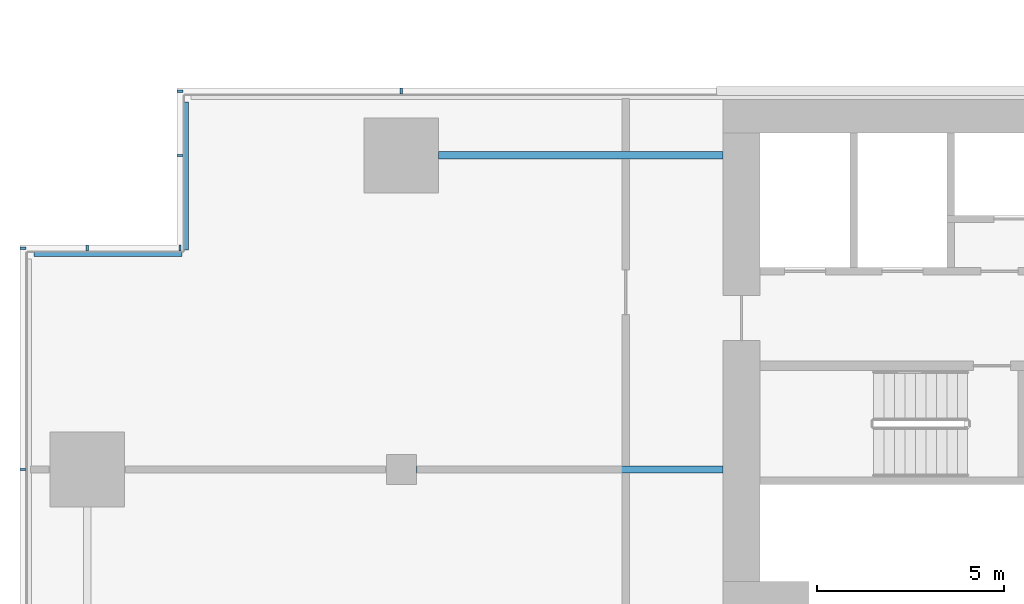
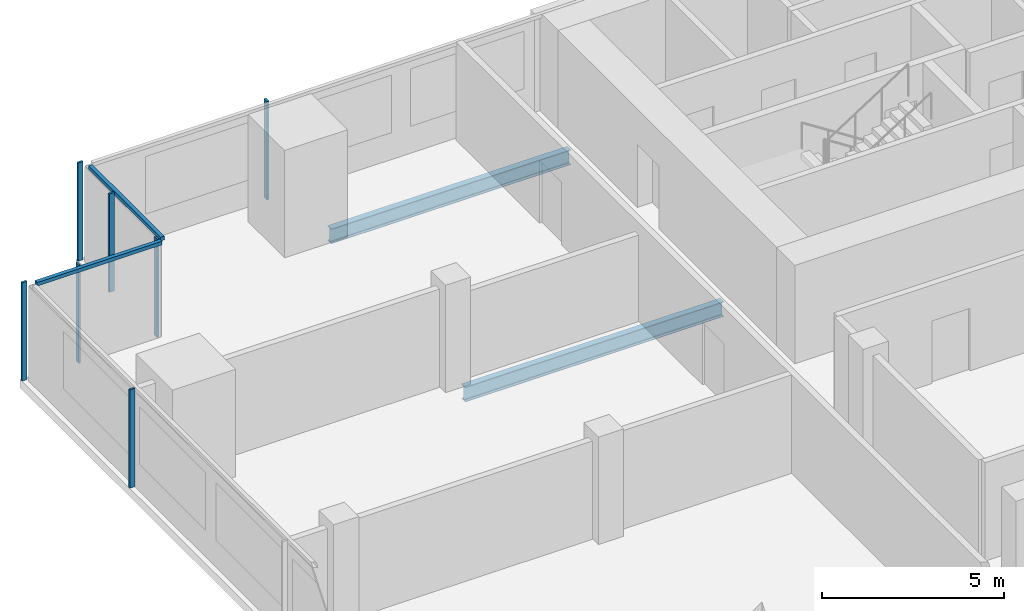
# One storey, part 9 of 26: 9 members, 2 beams, 4 elements without a shape of their own.
"""IFC4 building model written with IfcOpenShell, lengths in metres."""

from ifc_helpers import new_model, si_unit, direction, frame, origin, origin_2d, place, context, subcontext, project, spatial, rectangle, i_section, extrude, material, material_profile, profile_set, type_object, element, aggregate, save


model = new_model("IFC4")

# Units and contexts
model_context = context("Model", 3, precision=1e-05, world=origin(), true_north=direction((0.0, 1.0)))
body_context = subcontext(model_context, "Body", "Model", "MODEL_VIEW")
ifc_project = project(units=[si_unit("LENGTHUNIT", "METRE"), si_unit("AREAUNIT", "SQUARE_METRE"), si_unit("VOLUMEUNIT", "CUBIC_METRE"), si_unit("PLANEANGLEUNIT", "RADIAN"), si_unit("MASSUNIT", "GRAM", prefix="KILO")], contexts=[model_context])

# Site, building, storey
site_placement = place(None, origin())
site = spatial("IfcSite", under=ifc_project, at=site_placement, CompositionType="ELEMENT")
building_placement = place(site_placement, origin())
building = spatial("IfcBuilding", under=site, at=building_placement, Name="Saffron Gate Tower", CompositionType="ELEMENT")
storey_placement = place(building_placement, frame((0.0, 0.0, 138.449951171875)))
storey = spatial("IfcBuildingStorey", under=building, at=storey_placement, Name="L33", CompositionType="ELEMENT", Elevation=138.449951171875)

# Beams
ifc_material_1 = material(Name="Structural steel S355", Category="steel")
ifc_material_profile_1 = material_profile(ifc_material_1, i_section(OverallWidth=0.199951171875, OverallDepth=0.5, WebThickness=0.01025390625, FlangeThickness=0.01611328125, FilletRadius=0.02099609375, at=origin_2d()))
ifc_profile_set_1 = profile_set([ifc_material_profile_1], Name="Structural steel S355")
beam_type = type_object("IfcBeamType", Name="B10 IPE 500", PredefinedType="BEAM", material=ifc_profile_set_1)
beam_1_placement = place(storey_placement, frame((58.60009765625, 65.39990234375, -0.530029296875), z_axis=(1.0, 0.0, 0.0), x_axis=(0.0, 1.0, 0.0)))
element("IfcBeam", 1, at=beam_1_placement, inside=storey, type_object=beam_type, Name="B10 CORE TIE BEAM", PredefinedType="BEAM", context=body_context, shape_type="SweptSolid", body=[
    extrude(i_section(OverallWidth=0.199951171875, OverallDepth=0.5, WebThickness=0.01025390625, FlangeThickness=0.01611328125, FilletRadius=0.02099609375, at=origin_2d()), origin(), (0.0, 0.0, 1.0), 8.199951171875),
])
beam_2_placement = place(storey_placement, frame((59.199951171875, 73.800048828125, -0.530029296875), z_axis=(1.0, 0.0, 0.0), x_axis=(0.0, 1.0, 0.0)))
element("IfcBeam", 2, at=beam_2_placement, inside=storey, type_object=beam_type, Name="B10 CORE TIE BEAM", PredefinedType="BEAM", context=body_context, shape_type="SweptSolid", body=[
    extrude(i_section(OverallWidth=0.199951171875, OverallDepth=0.5, WebThickness=0.01025390625, FlangeThickness=0.01611328125, FilletRadius=0.02099609375, at=origin_2d()), origin(), (0.0, 0.0, 1.0), 7.60009765625),
])

# Curtain wall, members
ifc_material_2 = material(Name="Aluminium, bronze anodised", Category="aluminium")
curtain_wall_type_1 = type_object("IfcCurtainWallType", Name="CWS2 curtain wall side facades", PredefinedType="NOTDEFINED", material=ifc_material_2)
curtain_wall_1_placement = place(storey_placement, origin())
curtain_wall_1 = element("IfcCurtainWall", 3, at=curtain_wall_1_placement, inside=storey, type_object=curtain_wall_type_1, Name="CWS2 run 10", PredefinedType="NOTDEFINED")
ifc_material_profile_2 = material_profile(ifc_material_2, rectangle(XDim=0.159912109375, YDim=0.06005859375, at=origin_2d()))
ifc_profile_set_2 = profile_set([ifc_material_profile_2], Name="Aluminium, bronze anodised")
member_type_1 = type_object("IfcMemberType", Name="CWS2 mullion 60x160", PredefinedType="MULLION", material=ifc_profile_set_2)
member_1_placement = place(storey_placement, frame((48.080078125, 71.320068359375, 0.0), z_axis=(0.0, 0.0, 1.0), x_axis=(1.0, 0.0, 0.0)))
member_1 = element("IfcMember", 4, at=member_1_placement, type_object=member_type_1, Name="CWS2 mullion 1", PredefinedType="MULLION", context=body_context, shape_type="SweptSolid", body=[
    extrude(rectangle(XDim=0.159912109375, YDim=0.06005859375, at=origin_2d()), origin(), (0.0, 0.0, 1.0), 3.300048828125),
])
member_2_placement = place(storey_placement, frame((48.080078125, 65.39990234375, 0.0), z_axis=(0.0, 0.0, 1.0), x_axis=(1.0, 0.0, 0.0)))
member_2 = element("IfcMember", 5, at=member_2_placement, type_object=member_type_1, Name="CWS2 mullion 2", PredefinedType="MULLION", context=body_context, shape_type="SweptSolid", body=[
    extrude(rectangle(XDim=0.159912109375, YDim=0.06005859375, at=origin_2d()), origin(), (0.0, 0.0, 1.0), 3.300048828125),
])
aggregate(curtain_wall_1, [member_1, member_2])

# Curtain wall, member
curtain_wall_type_2 = type_object("IfcCurtainWallType", Name="CWS3 curtain wall rear facade", PredefinedType="NOTDEFINED", material=ifc_material_2)
curtain_wall_2_placement = place(storey_placement, origin())
curtain_wall_2 = element("IfcCurtainWall", 6, at=curtain_wall_2_placement, inside=storey, type_object=curtain_wall_type_2, Name="CWS3 run 7", PredefinedType="NOTDEFINED")
ifc_material_profile_3 = material_profile(ifc_material_2, rectangle(XDim=0.159912109375, YDim=0.070068359375, at=origin_2d()))
ifc_profile_set_3 = profile_set([ifc_material_profile_3], Name="Aluminium, bronze anodised")
member_type_2 = type_object("IfcMemberType", Name="CWS3 mullion 70x160", PredefinedType="MULLION", material=ifc_profile_set_3)
member_3_placement = place(storey_placement, frame((58.199951171875, 75.52001953125, 0.0), z_axis=(0.0, 0.0, 1.0), x_axis=(0.0, -1.0, 0.0)))
member_3 = element("IfcMember", 7, at=member_3_placement, type_object=member_type_2, Name="CWS3 mullion 9", PredefinedType="MULLION", context=body_context, shape_type="SweptSolid", body=[
    extrude(rectangle(XDim=0.159912109375, YDim=0.070068359375, at=origin_2d()), origin(), (0.0, 0.0, 1.0), 3.300048828125),
])
aggregate(curtain_wall_2, [member_3])

curtain_wall_type_3 = type_object("IfcCurtainWallType", Name="CWS4 curtain wall corner returns", PredefinedType="NOTDEFINED", material=ifc_material_2)
curtain_wall_3_placement = place(storey_placement, origin())
curtain_wall_3 = element("IfcCurtainWall", 8, at=curtain_wall_3_placement, inside=storey, type_object=curtain_wall_type_3, Name="CWS4 run 8", PredefinedType="NOTDEFINED")
ifc_material_profile_4 = material_profile(ifc_material_2, rectangle(XDim=0.1201171875, YDim=0.1201171875, at=origin_2d()))
ifc_profile_set_4 = profile_set([ifc_material_profile_4], Name="Aluminium, bronze anodised")
member_type_3 = type_object("IfcMemberType", Name="CWS4 head transom", PredefinedType="USERDEFINED", material=ifc_profile_set_4)
member_4_placement = place(storey_placement, frame((52.447998046875, 75.23193359375, 3.239990234375), z_axis=(0.0, -1.0, 0.0), x_axis=(1.0, 0.0, 0.0)))
member_4 = element("IfcMember", 9, at=member_4_placement, type_object=member_type_3, Name="CWS4 head transom", ObjectType="TRANSOM", PredefinedType="USERDEFINED", context=body_context, shape_type="SweptSolid", body=[
    extrude(rectangle(XDim=0.1201171875, YDim=0.1201171875, at=origin_2d()), origin(), (0.0, 0.0, 1.0), 3.9599609375),
])

curtain_wall_4_placement = place(storey_placement, origin())
curtain_wall_4 = element("IfcCurtainWall", 10, at=curtain_wall_4_placement, inside=storey, type_object=curtain_wall_type_3, Name="CWS4 run 9", PredefinedType="NOTDEFINED")
member_5_placement = place(storey_placement, frame((52.327880859375, 71.152099609375, 3.239990234375), z_axis=(-1.0, 0.0, 0.0), x_axis=(0.0, -1.0, 0.0)))
member_5 = element("IfcMember", 11, at=member_5_placement, type_object=member_type_3, Name="CWS4 head transom", ObjectType="TRANSOM", PredefinedType="USERDEFINED", context=body_context, shape_type="SweptSolid", body=[
    extrude(rectangle(XDim=0.1201171875, YDim=0.1201171875, at=origin_2d()), origin(), (0.0, 0.0, 1.0), 3.9599609375),
])

# Member
ifc_material_profile_5 = material_profile(ifc_material_2, rectangle(XDim=0.159912109375, YDim=0.06005859375, at=origin_2d()))
ifc_profile_set_5 = profile_set([ifc_material_profile_5], Name="Aluminium, bronze anodised")
member_type_4 = type_object("IfcMemberType", Name="CWS4 mullion 60x160", PredefinedType="MULLION", material=ifc_profile_set_5)
member_6_placement = place(storey_placement, frame((52.280029296875, 75.52001953125, 0.0), z_axis=(0.0, 0.0, 1.0), x_axis=(1.0, 0.0, 0.0)))
member_6 = element("IfcMember", 12, at=member_6_placement, type_object=member_type_4, Name="CWS4 mullion 1", PredefinedType="MULLION", context=body_context, shape_type="SweptSolid", body=[
    extrude(rectangle(XDim=0.159912109375, YDim=0.06005859375, at=origin_2d()), origin(), (0.0, 0.0, 1.0), 3.300048828125),
])

member_7_placement = place(storey_placement, frame((52.280029296875, 73.800048828125, 0.0), z_axis=(0.0, 0.0, 1.0), x_axis=(1.0, 0.0, 0.0)))
member_7 = element("IfcMember", 13, at=member_7_placement, type_object=member_type_4, Name="CWS4 mullion 2", PredefinedType="MULLION", context=body_context, shape_type="SweptSolid", body=[
    extrude(rectangle(XDim=0.159912109375, YDim=0.06005859375, at=origin_2d()), origin(), (0.0, 0.0, 1.0), 3.300048828125),
])

aggregate(curtain_wall_3, [member_6, member_7, member_4])

member_8_placement = place(storey_placement, frame((52.280029296875, 71.320068359375, 0.0), z_axis=(0.0, 0.0, 1.0), x_axis=(0.0, -1.0, 0.0)))
member_8 = element("IfcMember", 14, at=member_8_placement, type_object=member_type_4, Name="CWS4 mullion 1", PredefinedType="MULLION", context=body_context, shape_type="SweptSolid", body=[
    extrude(rectangle(XDim=0.159912109375, YDim=0.06005859375, at=origin_2d()), origin(), (0.0, 0.0, 1.0), 3.300048828125),
])

member_9_placement = place(storey_placement, frame((49.800048828125, 71.320068359375, 0.0), z_axis=(0.0, 0.0, 1.0), x_axis=(0.0, -1.0, 0.0)))
member_9 = element("IfcMember", 15, at=member_9_placement, type_object=member_type_4, Name="CWS4 mullion 2", PredefinedType="MULLION", context=body_context, shape_type="SweptSolid", body=[
    extrude(rectangle(XDim=0.159912109375, YDim=0.06005859375, at=origin_2d()), origin(), (0.0, 0.0, 1.0), 3.300048828125),
])

aggregate(curtain_wall_4, [member_8, member_9, member_5])

save(model, "model.ifc")
